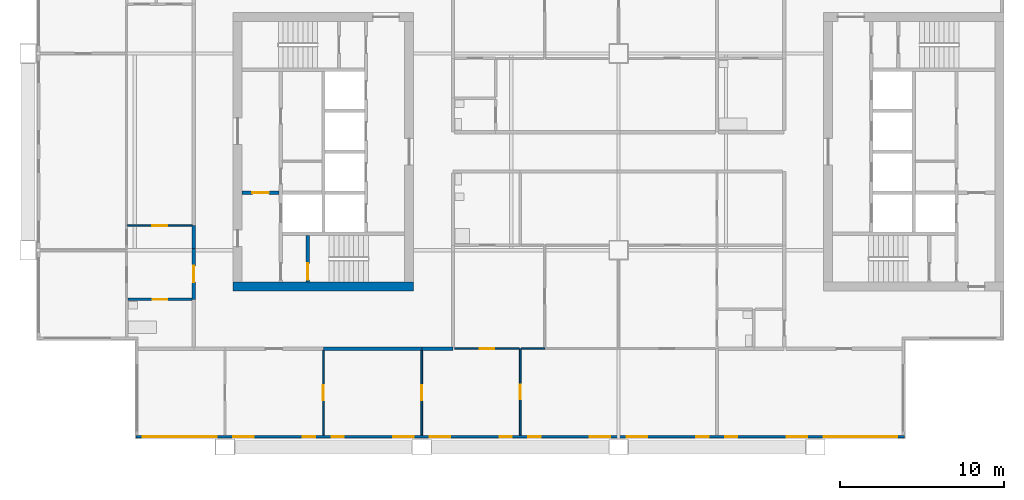
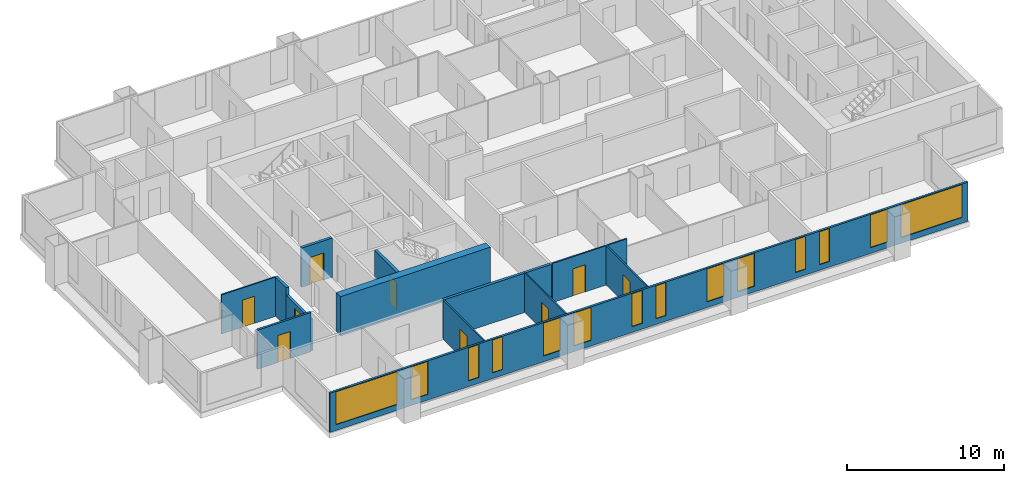
# One storey, part 2 of 10: 15 walls, 14 windows, 9 doors, 23 openings.
"""IFC4 building model written with IfcOpenShell, lengths in metres."""

from ifc_helpers import new_model, si_unit, direction, frame, frame_2d, origin, place, context, subcontext, project, spatial, rectangle, extrude, material, layer, layer_set, type_object, element, fill, save


model = new_model("IFC4")

# Units and contexts
model_context = context("Model", 3, precision=1e-05, world=origin(), true_north=direction((0.0, 1.0)))
body_context = subcontext(model_context, "Body", "Model", "MODEL_VIEW")
ifc_project = project(units=[si_unit("LENGTHUNIT", "METRE"), si_unit("AREAUNIT", "SQUARE_METRE"), si_unit("VOLUMEUNIT", "CUBIC_METRE"), si_unit("PLANEANGLEUNIT", "RADIAN"), si_unit("MASSUNIT", "GRAM", prefix="KILO")], contexts=[model_context])

# Site, building, storey
site_placement = place(None, origin())
site = spatial("IfcSite", under=ifc_project, at=site_placement, CompositionType="ELEMENT")
building_placement = place(site_placement, origin())
building = spatial("IfcBuilding", under=site, at=building_placement, Name="Kitamizu Gate Tower and Museum", CompositionType="ELEMENT")
storey_placement = place(building_placement, frame((0.0, 0.0, 185.85009765625)))
storey = spatial("IfcBuildingStorey", under=building, at=storey_placement, Name="L49", CompositionType="ELEMENT", Elevation=185.85009765625)

# Wall
ifc_material_1 = material(Name="Concrete Fc42", Category="concrete")
ifc_layer_1 = layer(ifc_material_1, 0.550048828125)
ifc_layer_set_1 = layer_set([ifc_layer_1], Name="Concrete Fc42")
wall_type_1 = type_object("IfcWallType", Name="Core wall 550", PredefinedType="SHEAR", material=ifc_layer_set_1)
wall_1_placement = place(storey_placement, frame((12.5, 21.77490234375, 0.0), z_axis=(0.0, 0.0, 1.0), x_axis=(1.0, 0.0, 0.0)))
element("IfcWall", 1, at=wall_1_placement, inside=storey, type_object=wall_type_1, Name="Core wall WS", PredefinedType="SHEAR", context=body_context, shape_type="SweptSolid", body=[
    extrude(rectangle(XDim=11.0, YDim=0.550048828125, at=frame_2d((5.5, 0.0))), origin(), (0.0, 0.0, 1.0), 3.0498046875),
])

# Wall, opening, door
ifc_material_2 = material(Name="Gypsum board on galvanised stud")
ifc_layer_2 = layer(ifc_material_2, 0.10009765625)
ifc_layer_set_2 = layer_set([ifc_layer_2], Name="Gypsum board on galvanised stud")
wall_type_2 = type_object("IfcWallType", Name="Partition 100 NOT RATED", PredefinedType="PARTITIONING", material=ifc_layer_set_2)
wall_2_placement = place(storey_placement, frame((18.0, 12.719970703125, 0.0), z_axis=(0.0, 0.0, 1.0), x_axis=(0.0, 1.0, 0.0)))
wall_2 = element("IfcWall", 2, at=wall_2_placement, inside=storey, type_object=wall_type_2, Name="Partition L49-004", PredefinedType="PARTITIONING", context=body_context, shape_type="SweptSolid", body=[
    extrude(rectangle(XDim=5.179931640625, YDim=0.10009765625, at=frame_2d((2.58984375, 0.0))), origin(), (0.0, 0.0, 1.0), 3.0498046875),
])
opening_1_placement = place(wall_2_placement, frame((2.139892578125, 0.0, 0.0)))
opening_1 = element("IfcOpeningElement", 3, at=opening_1_placement, cuts=wall_2, Name="Opening L49-003", PredefinedType="OPENING", context=body_context, shape_type="SweptSolid", body=[
    extrude(rectangle(XDim=0.89990234375, YDim=2.10009765625, at=frame_2d((0.449951171875, 1.050048828125))), frame((0.0, 0.06005859375, 0.0), z_axis=(0.0, -1.0, 0.0), x_axis=(1.0, 0.0, 0.0)), (0.0, 0.0, 1.0), 0.1201171875),
])
ifc_material_3 = material(Name="Timber door set", Category="wood")
door_type_1 = type_object("IfcDoorType", Name="Room door 900", OperationType="NOTDEFINED", PredefinedType="DOOR", material=ifc_material_3)
door_1_placement = place(opening_1_placement, frame((0.89990234375, 0.0, 0.0), x_axis=(-1.0, 0.0, 0.0)))
door_1 = element("IfcDoor", 4, at=door_1_placement, inside=storey, type_object=door_type_1, Name="Door L49-003", OperationType="SINGLE_SWING_LEFT", OverallHeight=2.10009765625, OverallWidth=0.89990234375, PredefinedType="DOOR", context=body_context, shape_type="SweptSolid", body=[
    extrude(rectangle(XDim=0.89990234375, YDim=2.10009765625, at=frame_2d((0.449951171875, 1.050048828125))), frame((0.0, 0.02490234375, 0.0), z_axis=(0.0, -1.0, 0.0), x_axis=(1.0, 0.0, 0.0)), (0.0, 0.0, 1.0), 0.050048828125),
])
fill(opening_1, door_1)

wall_3_placement = place(storey_placement, frame((24.0, 12.719970703125, 0.0), z_axis=(0.0, 0.0, 1.0), x_axis=(0.0, 1.0, 0.0)))
wall_3 = element("IfcWall", 5, at=wall_3_placement, inside=storey, type_object=wall_type_2, Name="Partition L49-006", PredefinedType="PARTITIONING", context=body_context, shape_type="SweptSolid", body=[
    extrude(rectangle(XDim=5.179931640625, YDim=0.10009765625, at=frame_2d((2.58984375, 0.0))), origin(), (0.0, 0.0, 1.0), 3.0498046875),
])
opening_2_placement = place(wall_3_placement, frame((2.139892578125, 0.0, 0.0)))
opening_2 = element("IfcOpeningElement", 6, at=opening_2_placement, cuts=wall_3, Name="Opening L49-004", PredefinedType="OPENING", context=body_context, shape_type="SweptSolid", body=[
    extrude(rectangle(XDim=0.89990234375, YDim=2.10009765625, at=frame_2d((0.449951171875, 1.050048828125))), frame((0.0, 0.06005859375, 0.0), z_axis=(0.0, -1.0, 0.0), x_axis=(1.0, 0.0, 0.0)), (0.0, 0.0, 1.0), 0.1201171875),
])
door_2_placement = place(opening_2_placement, origin())
door_2 = element("IfcDoor", 7, at=door_2_placement, inside=storey, type_object=door_type_1, Name="Door L49-004", OperationType="SINGLE_SWING_LEFT", OverallHeight=2.10009765625, OverallWidth=0.89990234375, PredefinedType="DOOR", context=body_context, shape_type="SweptSolid", body=[
    extrude(rectangle(XDim=0.89990234375, YDim=2.10009765625, at=frame_2d((0.449951171875, 1.050048828125))), frame((0.0, 0.02490234375, 0.0), z_axis=(0.0, -1.0, 0.0), x_axis=(1.0, 0.0, 0.0)), (0.0, 0.0, 1.0), 0.050048828125),
])
fill(opening_2, door_2)

wall_4_placement = place(storey_placement, frame((30.0, 12.719970703125, 0.0), z_axis=(0.0, 0.0, 1.0), x_axis=(0.0, 1.0, 0.0)))
wall_4 = element("IfcWall", 8, at=wall_4_placement, inside=storey, type_object=wall_type_2, Name="Partition L49-008", PredefinedType="PARTITIONING", context=body_context, shape_type="SweptSolid", body=[
    extrude(rectangle(XDim=5.280029296875, YDim=0.10009765625, at=frame_2d((2.64013671875, 0.0))), origin(), (0.0, 0.0, 1.0), 3.0498046875),
])
opening_3_placement = place(wall_4_placement, frame((2.18994140625, 0.0, 0.0)))
opening_3 = element("IfcOpeningElement", 9, at=opening_3_placement, cuts=wall_4, Name="Opening L49-005", PredefinedType="OPENING", context=body_context, shape_type="SweptSolid", body=[
    extrude(rectangle(XDim=0.89990234375, YDim=2.10009765625, at=frame_2d((0.449951171875, 1.050048828125))), frame((0.0, 0.06005859375, 0.0), z_axis=(0.0, -1.0, 0.0), x_axis=(1.0, 0.0, 0.0)), (0.0, 0.0, 1.0), 0.1201171875),
])
door_3_placement = place(opening_3_placement, origin())
door_3 = element("IfcDoor", 10, at=door_3_placement, inside=storey, type_object=door_type_1, Name="Door L49-005", OperationType="SINGLE_SWING_RIGHT", OverallHeight=2.10009765625, OverallWidth=0.89990234375, PredefinedType="DOOR", context=body_context, shape_type="SweptSolid", body=[
    extrude(rectangle(XDim=0.89990234375, YDim=2.10009765625, at=frame_2d((0.449951171875, 1.050048828125))), frame((0.0, 0.02490234375, 0.0), z_axis=(0.0, -1.0, 0.0), x_axis=(1.0, 0.0, 0.0)), (0.0, 0.0, 1.0), 0.050048828125),
])
fill(opening_3, door_3)

wall_5_placement = place(storey_placement, frame((29.949951171875, 18.0, 0.0), z_axis=(0.0, 0.0, 1.0), x_axis=(-1.0, 0.0, 0.0)))
wall_5 = element("IfcWall", 11, at=wall_5_placement, inside=storey, type_object=wall_type_2, Name="Partition L49-009", PredefinedType="PARTITIONING", context=body_context, shape_type="SweptSolid", body=[
    extrude(rectangle(XDim=3.949951171875, YDim=0.10009765625, at=frame_2d((1.97509765625, 0.0))), origin(), (0.0, 0.0, 1.0), 3.0498046875),
])
opening_4_placement = place(wall_5_placement, frame((1.52490234375, 0.0, 0.0)))
opening_4 = element("IfcOpeningElement", 12, at=opening_4_placement, cuts=wall_5, Name="Opening L49-006", PredefinedType="OPENING", context=body_context, shape_type="SweptSolid", body=[
    extrude(rectangle(XDim=0.89990234375, YDim=2.10009765625, at=frame_2d((0.449951171875, 1.050048828125))), frame((0.0, 0.06005859375, 0.0), z_axis=(0.0, -1.0, 0.0), x_axis=(1.0, 0.0, 0.0)), (0.0, 0.0, 1.0), 0.1201171875),
])
door_4_placement = place(opening_4_placement, origin())
door_4 = element("IfcDoor", 13, at=door_4_placement, inside=storey, type_object=door_type_1, Name="Door L49-006", OperationType="SINGLE_SWING_LEFT", OverallHeight=2.10009765625, OverallWidth=0.89990234375, PredefinedType="DOOR", context=body_context, shape_type="SweptSolid", body=[
    extrude(rectangle(XDim=0.89990234375, YDim=2.10009765625, at=frame_2d((0.449951171875, 1.050048828125))), frame((0.0, 0.02490234375, 0.0), z_axis=(0.0, -1.0, 0.0), x_axis=(1.0, 0.0, 0.0)), (0.0, 0.0, 1.0), 0.050048828125),
])
fill(opening_4, door_4)

# Wall
wall_6_placement = place(storey_placement, frame((31.5, 18.0, 0.0), z_axis=(0.0, 0.0, 1.0), x_axis=(-1.0, 0.0, 0.0)))
element("IfcWall", 14, at=wall_6_placement, inside=storey, type_object=wall_type_2, Name="Partition L49-011", PredefinedType="PARTITIONING", context=body_context, shape_type="SweptSolid", body=[
    extrude(rectangle(XDim=1.449951171875, YDim=0.10009765625, at=frame_2d((0.72509765625, 0.0))), origin(), (0.0, 0.0, 1.0), 3.0498046875),
])

# Wall, opening, door
wall_7_placement = place(storey_placement, frame((10.0, 25.5, 0.0), z_axis=(0.0, 0.0, 1.0), x_axis=(-1.0, 0.0, 0.0)))
wall_7 = element("IfcWall", 15, at=wall_7_placement, inside=storey, type_object=wall_type_2, Name="Partition L49-089", PredefinedType="PARTITIONING", context=body_context, shape_type="SweptSolid", body=[
    extrude(rectangle(XDim=3.949951171875, YDim=0.10009765625, at=frame_2d((1.97509765625, 0.0))), origin(), (0.0, 0.0, 1.0), 3.0498046875),
])
opening_5_placement = place(wall_7_placement, frame((1.52490234375, 0.0, 0.0)))
opening_5 = element("IfcOpeningElement", 16, at=opening_5_placement, cuts=wall_7, Name="Opening L49-031", PredefinedType="OPENING", context=body_context, shape_type="SweptSolid", body=[
    extrude(rectangle(XDim=0.89990234375, YDim=2.10009765625, at=frame_2d((0.449951171875, 1.050048828125))), frame((0.0, 0.06005859375, 0.0), z_axis=(0.0, -1.0, 0.0), x_axis=(1.0, 0.0, 0.0)), (0.0, 0.0, 1.0), 0.1201171875),
])
door_5_placement = place(opening_5_placement, origin())
door_5 = element("IfcDoor", 17, at=door_5_placement, inside=storey, type_object=door_type_1, Name="Door L49-031", OperationType="SINGLE_SWING_LEFT", OverallHeight=2.10009765625, OverallWidth=0.89990234375, PredefinedType="DOOR", context=body_context, shape_type="SweptSolid", body=[
    extrude(rectangle(XDim=0.89990234375, YDim=2.10009765625, at=frame_2d((0.449951171875, 1.050048828125))), frame((0.0, 0.02490234375, 0.0), z_axis=(0.0, -1.0, 0.0), x_axis=(1.0, 0.0, 0.0)), (0.0, 0.0, 1.0), 0.050048828125),
])
fill(opening_5, door_5)

ifc_material_4 = material(Name="Gypsum board on galvanised stud")
ifc_layer_3 = layer(ifc_material_4, 0.14990234375)
ifc_layer_set_3 = layer_set([ifc_layer_3], Name="Gypsum board on galvanised stud")
wall_type_3 = type_object("IfcWallType", Name="Partition 150", PredefinedType="PARTITIONING", material=ifc_layer_set_3)
wall_8_placement = place(storey_placement, frame((10.0, 21.0, 0.0), z_axis=(0.0, 0.0, 1.0), x_axis=(-1.0, 0.0, 0.0)))
wall_8 = element("IfcWall", 18, at=wall_8_placement, inside=storey, type_object=wall_type_3, Name="Partition L49-087", PredefinedType="PARTITIONING", context=body_context, shape_type="SweptSolid", body=[
    extrude(rectangle(XDim=3.925048828125, YDim=0.14990234375, at=frame_2d((1.96240234375, 0.0))), origin(), (0.0, 0.0, 1.0), 3.0498046875),
])
opening_6_placement = place(wall_8_placement, frame((1.512451171875, 0.0, 0.0)))
opening_6 = element("IfcOpeningElement", 19, at=opening_6_placement, cuts=wall_8, Name="Opening L49-033", PredefinedType="OPENING", context=body_context, shape_type="SweptSolid", body=[
    extrude(rectangle(XDim=0.89990234375, YDim=2.10009765625, at=frame_2d((0.449951171875, 1.050048828125))), frame((0.0, 0.0849609375, 0.0), z_axis=(0.0, -1.0, 0.0), x_axis=(1.0, 0.0, 0.0)), (0.0, 0.0, 1.0), 0.169921875),
])
ifc_material_5 = material(Name="Timber door set", Category="wood")
door_type_2 = type_object("IfcDoorType", Name="Bathroom door 900", OperationType="NOTDEFINED", PredefinedType="DOOR", material=ifc_material_5)
door_6_placement = place(opening_6_placement, origin())
door_6 = element("IfcDoor", 20, at=door_6_placement, inside=storey, type_object=door_type_2, Name="Bathroom door L49-033", OperationType="SINGLE_SWING_LEFT", OverallHeight=2.10009765625, OverallWidth=0.89990234375, PredefinedType="DOOR", context=body_context, shape_type="SweptSolid", body=[
    extrude(rectangle(XDim=0.89990234375, YDim=2.10009765625, at=frame_2d((0.449951171875, 1.050048828125))), frame((0.0, 0.02490234375, 0.0), z_axis=(0.0, -1.0, 0.0), x_axis=(1.0, 0.0, 0.0)), (0.0, 0.0, 1.0), 0.050048828125),
])
fill(opening_6, door_6)

# Walls
ifc_material_6 = material(Name="Gypsum board on galvanised stud")
ifc_layer_4 = layer(ifc_material_6, 0.199951171875)
ifc_layer_set_4 = layer_set([ifc_layer_4], Name="Gypsum board on galvanised stud")
wall_type_4 = type_object("IfcWallType", Name="Partition 200", PredefinedType="PARTITIONING", material=ifc_layer_set_4)
wall_9_placement = place(storey_placement, frame((24.0, 18.0, 0.0), z_axis=(0.0, 0.0, 1.0), x_axis=(-1.0, 0.0, 0.0)))
element("IfcWall", 21, at=wall_9_placement, inside=storey, type_object=wall_type_4, Name="Partition L49-007", PredefinedType="PARTITIONING", context=body_context, shape_type="SweptSolid", body=[
    extrude(rectangle(XDim=6.0, YDim=0.199951171875, at=frame_2d((3.0, 0.0))), origin(), (0.0, 0.0, 1.0), 3.0498046875),
])
wall_10_placement = place(storey_placement, frame((25.89990234375, 18.0, 0.0), z_axis=(0.0, 0.0, 1.0), x_axis=(-1.0, 0.0, 0.0)))
element("IfcWall", 22, at=wall_10_placement, inside=storey, type_object=wall_type_4, Name="Partition L49-010", PredefinedType="PARTITIONING", context=body_context, shape_type="SweptSolid", body=[
    extrude(rectangle(XDim=1.89990234375, YDim=0.199951171875, at=frame_2d((0.949951171875, 0.0))), origin(), (0.0, 0.0, 1.0), 3.0498046875),
])

# Wall, opening, door
wall_11_placement = place(storey_placement, frame((10.10009765625, 21.0, 0.0), z_axis=(0.0, 0.0, 1.0), x_axis=(0.0, 1.0, 0.0)))
wall_11 = element("IfcWall", 23, at=wall_11_placement, inside=storey, type_object=wall_type_4, Name="Partition L49-090", PredefinedType="PARTITIONING", context=body_context, shape_type="SweptSolid", body=[
    extrude(rectangle(XDim=3.10009765625, YDim=0.199951171875, at=frame_2d((1.550048828125, 0.0))), origin(), (0.0, 0.0, 1.0), 2.449951171875),
])
opening_7_placement = place(wall_11_placement, frame((1.050048828125, 0.0, 0.0)))
opening_7 = element("IfcOpeningElement", 24, at=opening_7_placement, cuts=wall_11, Name="Opening L49-028", PredefinedType="OPENING", context=body_context, shape_type="SweptSolid", body=[
    extrude(rectangle(XDim=1.0, YDim=2.10009765625, at=frame_2d((0.5, 1.050048828125))), frame((0.0, 0.10986328125, 0.0), z_axis=(0.0, -1.0, 0.0), x_axis=(1.0, 0.0, 0.0)), (0.0, 0.0, 1.0), 0.219970703125),
])
ifc_material_7 = material(Name="Timber door set", Category="wood")
door_type_3 = type_object("IfcDoorType", Name="Flat entrance door 1000", OperationType="NOTDEFINED", PredefinedType="DOOR", material=ifc_material_7)
door_7_placement = place(opening_7_placement, origin())
door_7 = element("IfcDoor", 25, at=door_7_placement, inside=storey, type_object=door_type_3, Name="Flat entrance door L49-028", OperationType="SINGLE_SWING_RIGHT", OverallHeight=2.10009765625, OverallWidth=1.0, PredefinedType="DOOR", context=body_context, shape_type="SweptSolid", body=[
    extrude(rectangle(XDim=1.0, YDim=2.10009765625, at=frame_2d((0.5, 1.050048828125))), frame((0.0, 0.02490234375, 0.0), z_axis=(0.0, -1.0, 0.0), x_axis=(1.0, 0.0, 0.0)), (0.0, 0.0, 1.0), 0.050048828125),
])
fill(opening_7, door_7)

# Wall
wall_12_placement = place(storey_placement, frame((10.10009765625, 24.10009765625, 0.0), z_axis=(0.0, 0.0, 1.0), x_axis=(0.0, 1.0, 0.0)))
element("IfcWall", 26, at=wall_12_placement, inside=storey, type_object=wall_type_4, Name="Partition L49-091", PredefinedType="PARTITIONING", context=body_context, shape_type="SweptSolid", body=[
    extrude(rectangle(XDim=1.39990234375, YDim=0.199951171875, at=frame_2d((0.699951171875, 0.0))), origin(), (0.0, 0.0, 1.0), 3.0498046875),
])

# Wall, opening, door
ifc_material_8 = material(Name="Concrete Fc42", Category="concrete")
ifc_layer_5 = layer(ifc_material_8, 0.199951171875)
ifc_layer_set_5 = layer_set([ifc_layer_5], Name="Concrete Fc42")
wall_type_5 = type_object("IfcWallType", Name="Shaft wall 200", PredefinedType="SOLIDWALL", material=ifc_layer_set_5)
wall_13_placement = place(storey_placement, frame((13.050048828125, 27.5, 0.0), z_axis=(0.0, 0.0, 1.0), x_axis=(1.0, 0.0, 0.0)))
wall_13 = element("IfcWall", 27, at=wall_13_placement, inside=storey, type_object=wall_type_5, Name="Shaft wall WFFN", PredefinedType="SOLIDWALL", context=body_context, shape_type="SweptSolid", body=[
    extrude(rectangle(XDim=2.25, YDim=0.199951171875, at=frame_2d((1.125, 0.0))), origin(), (0.0, 0.0, 1.0), 3.0498046875),
])
opening_8_placement = place(wall_13_placement, frame((0.625, 0.0, 0.0)))
opening_8 = element("IfcOpeningElement", 28, at=opening_8_placement, cuts=wall_13, Name="Opening L49-045", PredefinedType="OPENING", context=body_context, shape_type="SweptSolid", body=[
    extrude(rectangle(XDim=1.0, YDim=2.10009765625, at=frame_2d((0.5, 1.050048828125))), frame((0.0, 0.10986328125, 0.0), z_axis=(0.0, -1.0, 0.0), x_axis=(1.0, 0.0, 0.0)), (0.0, 0.0, 1.0), 0.219970703125),
])
ifc_material_9 = material(Name="Hollow metal door set")
door_type_4 = type_object("IfcDoorType", Name="Fire door 1000", OperationType="NOTDEFINED", PredefinedType="DOOR", material=ifc_material_9)
door_8_placement = place(opening_8_placement, frame((1.0, 0.0, 0.0), x_axis=(-1.0, 0.0, 0.0)))
door_8 = element("IfcDoor", 29, at=door_8_placement, inside=storey, type_object=door_type_4, Name="Fire-fighting lobby door L49-045", OperationType="SINGLE_SWING_RIGHT", OverallHeight=2.10009765625, OverallWidth=1.0, PredefinedType="DOOR", context=body_context, shape_type="SweptSolid", body=[
    extrude(rectangle(XDim=1.0, YDim=2.10009765625, at=frame_2d((0.5, 1.050048828125))), frame((0.0, 0.02490234375, 0.0), z_axis=(0.0, -1.0, 0.0), x_axis=(1.0, 0.0, 0.0)), (0.0, 0.0, 1.0), 0.050048828125),
])
fill(opening_8, door_8)

wall_14_placement = place(storey_placement, frame((17.050048828125, 22.050048828125, 0.0), z_axis=(0.0, 0.0, 1.0), x_axis=(0.0, 1.0, 0.0)))
wall_14 = element("IfcWall", 30, at=wall_14_placement, inside=storey, type_object=wall_type_5, Name="Shaft wall WSZ", PredefinedType="SOLIDWALL", context=body_context, shape_type="SweptSolid", body=[
    extrude(rectangle(XDim=2.849853515625, YDim=0.199951171875, at=frame_2d((1.4248046875, 0.0))), origin(), (0.0, 0.0, 1.0), 3.0498046875),
])
opening_9_placement = place(wall_14_placement, frame((0.14990234375, 0.0, 0.0)))
opening_9 = element("IfcOpeningElement", 31, at=opening_9_placement, cuts=wall_14, Name="Opening L49-041", PredefinedType="OPENING", context=body_context, shape_type="SweptSolid", body=[
    extrude(rectangle(XDim=1.0, YDim=2.10009765625, at=frame_2d((0.5, 1.050048828125))), frame((0.0, 0.10986328125, 0.0), z_axis=(0.0, -1.0, 0.0), x_axis=(1.0, 0.0, 0.0)), (0.0, 0.0, 1.0), 0.219970703125),
])
door_9_placement = place(opening_9_placement, frame((1.0, 0.0, 0.0), x_axis=(-1.0, 0.0, 0.0)))
door_9 = element("IfcDoor", 32, at=door_9_placement, inside=storey, type_object=door_type_4, Name="Stair door L49-041", OperationType="SINGLE_SWING_LEFT", OverallHeight=2.10009765625, OverallWidth=1.0, PredefinedType="DOOR", context=body_context, shape_type="SweptSolid", body=[
    extrude(rectangle(XDim=1.0, YDim=2.10009765625, at=frame_2d((0.5, 1.050048828125))), frame((0.0, 0.02490234375, 0.0), z_axis=(0.0, -1.0, 0.0), x_axis=(1.0, 0.0, 0.0)), (0.0, 0.0, 1.0), 0.050048828125),
])
fill(opening_9, door_9)

# Wall, openings, windows
ifc_material_10 = material(Name="Bronze anodised aluminium frame with insulated spandrel and tinted glass", Category="aluminium")
ifc_layer_6 = layer(ifc_material_10, 0.14990234375)
ifc_layer_set_6 = layer_set([ifc_layer_6], Name="Bronze anodised aluminium frame with insulated spandrel and tinted glass")
wall_type_6 = type_object("IfcWallType", Name="WINDOW WALL 150 BRONZE FRAME EI 30", PredefinedType="ELEMENTEDWALL", material=ifc_layer_set_6)
wall_15_placement = place(storey_placement, frame((6.56005859375, 12.635009765625, 0.0), z_axis=(0.0, 0.0, 1.0), x_axis=(1.0, 0.0, 0.0)))
wall_15 = element("IfcWall", 33, at=wall_15_placement, inside=storey, type_object=wall_type_6, Name="Window wall south L49", PredefinedType="ELEMENTEDWALL", context=body_context, shape_type="SweptSolid", body=[
    extrude(rectangle(XDim=46.8798828125, YDim=0.14990234375, at=frame_2d((23.43994140625, 0.0))), origin(), (0.0, 0.0, 1.0), 3.0498046875),
])
opening_10_placement = place(wall_15_placement, frame((0.43994140625, 0.0, 0.449951171875)))
opening_10 = element("IfcOpeningElement", 34, at=opening_10_placement, cuts=wall_15, Name="Opening W15", PredefinedType="OPENING", context=body_context, shape_type="SweptSolid", body=[
    extrude(rectangle(XDim=4.5, YDim=2.550048828125, at=frame_2d((2.25, 1.27490234375))), frame((0.0, 0.0849609375, 0.0), z_axis=(0.0, -1.0, 0.0), x_axis=(1.0, 0.0, 0.0)), (0.0, 0.0, 1.0), 0.169921875),
])
opening_11_placement = place(wall_15_placement, frame((5.93994140625, 0.0, 0.449951171875)))
opening_11 = element("IfcOpeningElement", 35, at=opening_11_placement, cuts=wall_15, Name="Opening W27", PredefinedType="OPENING", context=body_context, shape_type="SweptSolid", body=[
    extrude(rectangle(XDim=1.25, YDim=2.550048828125, at=frame_2d((0.625, 1.27490234375))), frame((0.0, 0.0849609375, 0.0), z_axis=(0.0, -1.0, 0.0), x_axis=(1.0, 0.0, 0.0)), (0.0, 0.0, 1.0), 0.169921875),
])
opening_12_placement = place(wall_15_placement, frame((10.18994140625, 0.0, 0.449951171875)))
opening_12 = element("IfcOpeningElement", 36, at=opening_12_placement, cuts=wall_15, Name="Opening W25", PredefinedType="OPENING", context=body_context, shape_type="SweptSolid", body=[
    extrude(rectangle(XDim=0.75, YDim=2.550048828125, at=frame_2d((0.375, 1.27490234375))), frame((0.0, 0.0849609375, 0.0), z_axis=(0.0, -1.0, 0.0), x_axis=(1.0, 0.0, 0.0)), (0.0, 0.0, 1.0), 0.169921875),
])
opening_13_placement = place(wall_15_placement, frame((11.93994140625, 0.0, 0.449951171875)))
opening_13 = element("IfcOpeningElement", 37, at=opening_13_placement, cuts=wall_15, Name="Opening W25", PredefinedType="OPENING", context=body_context, shape_type="SweptSolid", body=[
    extrude(rectangle(XDim=0.75, YDim=2.550048828125, at=frame_2d((0.375, 1.27490234375))), frame((0.0, 0.0849609375, 0.0), z_axis=(0.0, -1.0, 0.0), x_axis=(1.0, 0.0, 0.0)), (0.0, 0.0, 1.0), 0.169921875),
])
opening_14_placement = place(wall_15_placement, frame((15.68994140625, 0.0, 0.449951171875)))
opening_14 = element("IfcOpeningElement", 38, at=opening_14_placement, cuts=wall_15, Name="Opening W27", PredefinedType="OPENING", context=body_context, shape_type="SweptSolid", body=[
    extrude(rectangle(XDim=1.25, YDim=2.550048828125, at=frame_2d((0.625, 1.27490234375))), frame((0.0, 0.0849609375, 0.0), z_axis=(0.0, -1.0, 0.0), x_axis=(1.0, 0.0, 0.0)), (0.0, 0.0, 1.0), 0.169921875),
])
opening_15_placement = place(wall_15_placement, frame((17.93994140625, 0.0, 0.449951171875)))
opening_15 = element("IfcOpeningElement", 39, at=opening_15_placement, cuts=wall_15, Name="Opening W27", PredefinedType="OPENING", context=body_context, shape_type="SweptSolid", body=[
    extrude(rectangle(XDim=1.25, YDim=2.550048828125, at=frame_2d((0.625, 1.27490234375))), frame((0.0, 0.0849609375, 0.0), z_axis=(0.0, -1.0, 0.0), x_axis=(1.0, 0.0, 0.0)), (0.0, 0.0, 1.0), 0.169921875),
])
opening_16_placement = place(wall_15_placement, frame((22.18994140625, 0.0, 0.449951171875)))
opening_16 = element("IfcOpeningElement", 40, at=opening_16_placement, cuts=wall_15, Name="Opening W25", PredefinedType="OPENING", context=body_context, shape_type="SweptSolid", body=[
    extrude(rectangle(XDim=0.75, YDim=2.550048828125, at=frame_2d((0.375, 1.27490234375))), frame((0.0, 0.0849609375, 0.0), z_axis=(0.0, -1.0, 0.0), x_axis=(1.0, 0.0, 0.0)), (0.0, 0.0, 1.0), 0.169921875),
])
opening_17_placement = place(wall_15_placement, frame((23.93994140625, 0.0, 0.449951171875)))
opening_17 = element("IfcOpeningElement", 41, at=opening_17_placement, cuts=wall_15, Name="Opening W25", PredefinedType="OPENING", context=body_context, shape_type="SweptSolid", body=[
    extrude(rectangle(XDim=0.75, YDim=2.550048828125, at=frame_2d((0.375, 1.27490234375))), frame((0.0, 0.0849609375, 0.0), z_axis=(0.0, -1.0, 0.0), x_axis=(1.0, 0.0, 0.0)), (0.0, 0.0, 1.0), 0.169921875),
])
opening_18_placement = place(wall_15_placement, frame((27.68994140625, 0.0, 0.449951171875)))
opening_18 = element("IfcOpeningElement", 42, at=opening_18_placement, cuts=wall_15, Name="Opening W27", PredefinedType="OPENING", context=body_context, shape_type="SweptSolid", body=[
    extrude(rectangle(XDim=1.25, YDim=2.550048828125, at=frame_2d((0.625, 1.27490234375))), frame((0.0, 0.0849609375, 0.0), z_axis=(0.0, -1.0, 0.0), x_axis=(1.0, 0.0, 0.0)), (0.0, 0.0, 1.0), 0.169921875),
])
opening_19_placement = place(wall_15_placement, frame((29.93994140625, 0.0, 0.449951171875)))
opening_19 = element("IfcOpeningElement", 43, at=opening_19_placement, cuts=wall_15, Name="Opening W27", PredefinedType="OPENING", context=body_context, shape_type="SweptSolid", body=[
    extrude(rectangle(XDim=1.25, YDim=2.550048828125, at=frame_2d((0.625, 1.27490234375))), frame((0.0, 0.0849609375, 0.0), z_axis=(0.0, -1.0, 0.0), x_axis=(1.0, 0.0, 0.0)), (0.0, 0.0, 1.0), 0.169921875),
])
opening_20_placement = place(wall_15_placement, frame((34.18994140625, 0.0, 0.449951171875)))
opening_20 = element("IfcOpeningElement", 44, at=opening_20_placement, cuts=wall_15, Name="Opening W25", PredefinedType="OPENING", context=body_context, shape_type="SweptSolid", body=[
    extrude(rectangle(XDim=0.75, YDim=2.550048828125, at=frame_2d((0.375, 1.27490234375))), frame((0.0, 0.0849609375, 0.0), z_axis=(0.0, -1.0, 0.0), x_axis=(1.0, 0.0, 0.0)), (0.0, 0.0, 1.0), 0.169921875),
])
opening_21_placement = place(wall_15_placement, frame((35.93994140625, 0.0, 0.449951171875)))
opening_21 = element("IfcOpeningElement", 45, at=opening_21_placement, cuts=wall_15, Name="Opening W25", PredefinedType="OPENING", context=body_context, shape_type="SweptSolid", body=[
    extrude(rectangle(XDim=0.75, YDim=2.550048828125, at=frame_2d((0.375, 1.27490234375))), frame((0.0, 0.0849609375, 0.0), z_axis=(0.0, -1.0, 0.0), x_axis=(1.0, 0.0, 0.0)), (0.0, 0.0, 1.0), 0.169921875),
])
opening_22_placement = place(wall_15_placement, frame((39.68994140625, 0.0, 0.449951171875)))
opening_22 = element("IfcOpeningElement", 46, at=opening_22_placement, cuts=wall_15, Name="Opening W27", PredefinedType="OPENING", context=body_context, shape_type="SweptSolid", body=[
    extrude(rectangle(XDim=1.25, YDim=2.550048828125, at=frame_2d((0.625, 1.27490234375))), frame((0.0, 0.0849609375, 0.0), z_axis=(0.0, -1.0, 0.0), x_axis=(1.0, 0.0, 0.0)), (0.0, 0.0, 1.0), 0.169921875),
])
opening_23_placement = place(wall_15_placement, frame((41.93994140625, 0.0, 0.449951171875)))
opening_23 = element("IfcOpeningElement", 47, at=opening_23_placement, cuts=wall_15, Name="Opening W15", PredefinedType="OPENING", context=body_context, shape_type="SweptSolid", body=[
    extrude(rectangle(XDim=4.5, YDim=2.550048828125, at=frame_2d((2.25, 1.27490234375))), frame((0.0, 0.0849609375, 0.0), z_axis=(0.0, -1.0, 0.0), x_axis=(1.0, 0.0, 0.0)), (0.0, 0.0, 1.0), 0.169921875),
])
ifc_material_11 = material(Name="Bronze anodised aluminium frame, tinted triple glazing", Category="aluminium")
window_type_1 = type_object("IfcWindowType", Name="WINDOW 1250 x 2550 SILL 450", PartitioningType="SINGLE_PANEL", PredefinedType="WINDOW", material=ifc_material_11)
window_1_placement = place(opening_11_placement, origin())
window_1 = element("IfcWindow", 48, at=window_1_placement, inside=storey, type_object=window_type_1, Name="Window W27 L49", OverallHeight=2.550048828125, OverallWidth=1.25, PartitioningType="SINGLE_PANEL", PredefinedType="WINDOW", context=body_context, shape_type="SweptSolid", body=[
    extrude(rectangle(XDim=1.25, YDim=2.550048828125, at=frame_2d((0.625, 1.27490234375))), frame((0.0, 0.030029296875, 0.0), z_axis=(0.0, -1.0, 0.0), x_axis=(1.0, 0.0, 0.0)), (0.0, 0.0, 1.0), 0.06005859375),
])
fill(opening_11, window_1)
window_2_placement = place(opening_14_placement, origin())
window_2 = element("IfcWindow", 49, at=window_2_placement, inside=storey, type_object=window_type_1, Name="Window W27 L49", OverallHeight=2.550048828125, OverallWidth=1.25, PartitioningType="SINGLE_PANEL", PredefinedType="WINDOW", context=body_context, shape_type="SweptSolid", body=[
    extrude(rectangle(XDim=1.25, YDim=2.550048828125, at=frame_2d((0.625, 1.27490234375))), frame((0.0, 0.030029296875, 0.0), z_axis=(0.0, -1.0, 0.0), x_axis=(1.0, 0.0, 0.0)), (0.0, 0.0, 1.0), 0.06005859375),
])
fill(opening_14, window_2)
window_3_placement = place(opening_15_placement, origin())
window_3 = element("IfcWindow", 50, at=window_3_placement, inside=storey, type_object=window_type_1, Name="Window W27 L49", OverallHeight=2.550048828125, OverallWidth=1.25, PartitioningType="SINGLE_PANEL", PredefinedType="WINDOW", context=body_context, shape_type="SweptSolid", body=[
    extrude(rectangle(XDim=1.25, YDim=2.550048828125, at=frame_2d((0.625, 1.27490234375))), frame((0.0, 0.030029296875, 0.0), z_axis=(0.0, -1.0, 0.0), x_axis=(1.0, 0.0, 0.0)), (0.0, 0.0, 1.0), 0.06005859375),
])
fill(opening_15, window_3)
window_4_placement = place(opening_18_placement, origin())
window_4 = element("IfcWindow", 51, at=window_4_placement, inside=storey, type_object=window_type_1, Name="Window W27 L49", OverallHeight=2.550048828125, OverallWidth=1.25, PartitioningType="SINGLE_PANEL", PredefinedType="WINDOW", context=body_context, shape_type="SweptSolid", body=[
    extrude(rectangle(XDim=1.25, YDim=2.550048828125, at=frame_2d((0.625, 1.27490234375))), frame((0.0, 0.030029296875, 0.0), z_axis=(0.0, -1.0, 0.0), x_axis=(1.0, 0.0, 0.0)), (0.0, 0.0, 1.0), 0.06005859375),
])
fill(opening_18, window_4)
window_5_placement = place(opening_19_placement, origin())
window_5 = element("IfcWindow", 52, at=window_5_placement, inside=storey, type_object=window_type_1, Name="Window W27 L49", OverallHeight=2.550048828125, OverallWidth=1.25, PartitioningType="SINGLE_PANEL", PredefinedType="WINDOW", context=body_context, shape_type="SweptSolid", body=[
    extrude(rectangle(XDim=1.25, YDim=2.550048828125, at=frame_2d((0.625, 1.27490234375))), frame((0.0, 0.030029296875, 0.0), z_axis=(0.0, -1.0, 0.0), x_axis=(1.0, 0.0, 0.0)), (0.0, 0.0, 1.0), 0.06005859375),
])
fill(opening_19, window_5)
window_6_placement = place(opening_22_placement, origin())
window_6 = element("IfcWindow", 53, at=window_6_placement, inside=storey, type_object=window_type_1, Name="Window W27 L49", OverallHeight=2.550048828125, OverallWidth=1.25, PartitioningType="SINGLE_PANEL", PredefinedType="WINDOW", context=body_context, shape_type="SweptSolid", body=[
    extrude(rectangle(XDim=1.25, YDim=2.550048828125, at=frame_2d((0.625, 1.27490234375))), frame((0.0, 0.030029296875, 0.0), z_axis=(0.0, -1.0, 0.0), x_axis=(1.0, 0.0, 0.0)), (0.0, 0.0, 1.0), 0.06005859375),
])
fill(opening_22, window_6)
ifc_material_12 = material(Name="Bronze anodised aluminium frame, tinted triple glazing", Category="aluminium")
window_type_2 = type_object("IfcWindowType", Name="WINDOW 4500 x 2550 SILL 450", PartitioningType="SINGLE_PANEL", PredefinedType="WINDOW", material=ifc_material_12)
window_7_placement = place(opening_10_placement, origin())
window_7 = element("IfcWindow", 54, at=window_7_placement, inside=storey, type_object=window_type_2, Name="Window W15 L49", OverallHeight=2.550048828125, OverallWidth=4.5, PartitioningType="SINGLE_PANEL", PredefinedType="WINDOW", context=body_context, shape_type="SweptSolid", body=[
    extrude(rectangle(XDim=4.5, YDim=2.550048828125, at=frame_2d((2.25, 1.27490234375))), frame((0.0, 0.030029296875, 0.0), z_axis=(0.0, -1.0, 0.0), x_axis=(1.0, 0.0, 0.0)), (0.0, 0.0, 1.0), 0.06005859375),
])
fill(opening_10, window_7)
window_8_placement = place(opening_23_placement, origin())
window_8 = element("IfcWindow", 55, at=window_8_placement, inside=storey, type_object=window_type_2, Name="Window W15 L49", OverallHeight=2.550048828125, OverallWidth=4.5, PartitioningType="SINGLE_PANEL", PredefinedType="WINDOW", context=body_context, shape_type="SweptSolid", body=[
    extrude(rectangle(XDim=4.5, YDim=2.550048828125, at=frame_2d((2.25, 1.27490234375))), frame((0.0, 0.030029296875, 0.0), z_axis=(0.0, -1.0, 0.0), x_axis=(1.0, 0.0, 0.0)), (0.0, 0.0, 1.0), 0.06005859375),
])
fill(opening_23, window_8)
ifc_material_13 = material(Name="Bronze anodised aluminium frame, tinted triple glazing", Category="aluminium")
window_type_3 = type_object("IfcWindowType", Name="WINDOW 750 x 2550 SILL 450", PartitioningType="SINGLE_PANEL", PredefinedType="WINDOW", material=ifc_material_13)
window_9_placement = place(opening_12_placement, origin())
window_9 = element("IfcWindow", 56, at=window_9_placement, inside=storey, type_object=window_type_3, Name="Window W25 L49", OverallHeight=2.550048828125, OverallWidth=0.75, PartitioningType="SINGLE_PANEL", PredefinedType="WINDOW", context=body_context, shape_type="SweptSolid", body=[
    extrude(rectangle(XDim=0.75, YDim=2.550048828125, at=frame_2d((0.375, 1.27490234375))), frame((0.0, 0.030029296875, 0.0), z_axis=(0.0, -1.0, 0.0), x_axis=(1.0, 0.0, 0.0)), (0.0, 0.0, 1.0), 0.06005859375),
])
fill(opening_12, window_9)
window_10_placement = place(opening_13_placement, origin())
window_10 = element("IfcWindow", 57, at=window_10_placement, inside=storey, type_object=window_type_3, Name="Window W25 L49", OverallHeight=2.550048828125, OverallWidth=0.75, PartitioningType="SINGLE_PANEL", PredefinedType="WINDOW", context=body_context, shape_type="SweptSolid", body=[
    extrude(rectangle(XDim=0.75, YDim=2.550048828125, at=frame_2d((0.375, 1.27490234375))), frame((0.0, 0.030029296875, 0.0), z_axis=(0.0, -1.0, 0.0), x_axis=(1.0, 0.0, 0.0)), (0.0, 0.0, 1.0), 0.06005859375),
])
fill(opening_13, window_10)
window_11_placement = place(opening_16_placement, origin())
window_11 = element("IfcWindow", 58, at=window_11_placement, inside=storey, type_object=window_type_3, Name="Window W25 L49", OverallHeight=2.550048828125, OverallWidth=0.75, PartitioningType="SINGLE_PANEL", PredefinedType="WINDOW", context=body_context, shape_type="SweptSolid", body=[
    extrude(rectangle(XDim=0.75, YDim=2.550048828125, at=frame_2d((0.375, 1.27490234375))), frame((0.0, 0.030029296875, 0.0), z_axis=(0.0, -1.0, 0.0), x_axis=(1.0, 0.0, 0.0)), (0.0, 0.0, 1.0), 0.06005859375),
])
fill(opening_16, window_11)
window_12_placement = place(opening_17_placement, origin())
window_12 = element("IfcWindow", 59, at=window_12_placement, inside=storey, type_object=window_type_3, Name="Window W25 L49", OverallHeight=2.550048828125, OverallWidth=0.75, PartitioningType="SINGLE_PANEL", PredefinedType="WINDOW", context=body_context, shape_type="SweptSolid", body=[
    extrude(rectangle(XDim=0.75, YDim=2.550048828125, at=frame_2d((0.375, 1.27490234375))), frame((0.0, 0.030029296875, 0.0), z_axis=(0.0, -1.0, 0.0), x_axis=(1.0, 0.0, 0.0)), (0.0, 0.0, 1.0), 0.06005859375),
])
fill(opening_17, window_12)
window_13_placement = place(opening_20_placement, origin())
window_13 = element("IfcWindow", 60, at=window_13_placement, inside=storey, type_object=window_type_3, Name="Window W25 L49", OverallHeight=2.550048828125, OverallWidth=0.75, PartitioningType="SINGLE_PANEL", PredefinedType="WINDOW", context=body_context, shape_type="SweptSolid", body=[
    extrude(rectangle(XDim=0.75, YDim=2.550048828125, at=frame_2d((0.375, 1.27490234375))), frame((0.0, 0.030029296875, 0.0), z_axis=(0.0, -1.0, 0.0), x_axis=(1.0, 0.0, 0.0)), (0.0, 0.0, 1.0), 0.06005859375),
])
fill(opening_20, window_13)
window_14_placement = place(opening_21_placement, origin())
window_14 = element("IfcWindow", 61, at=window_14_placement, inside=storey, type_object=window_type_3, Name="Window W25 L49", OverallHeight=2.550048828125, OverallWidth=0.75, PartitioningType="SINGLE_PANEL", PredefinedType="WINDOW", context=body_context, shape_type="SweptSolid", body=[
    extrude(rectangle(XDim=0.75, YDim=2.550048828125, at=frame_2d((0.375, 1.27490234375))), frame((0.0, 0.030029296875, 0.0), z_axis=(0.0, -1.0, 0.0), x_axis=(1.0, 0.0, 0.0)), (0.0, 0.0, 1.0), 0.06005859375),
])
fill(opening_21, window_14)

save(model, "model.ifc")
